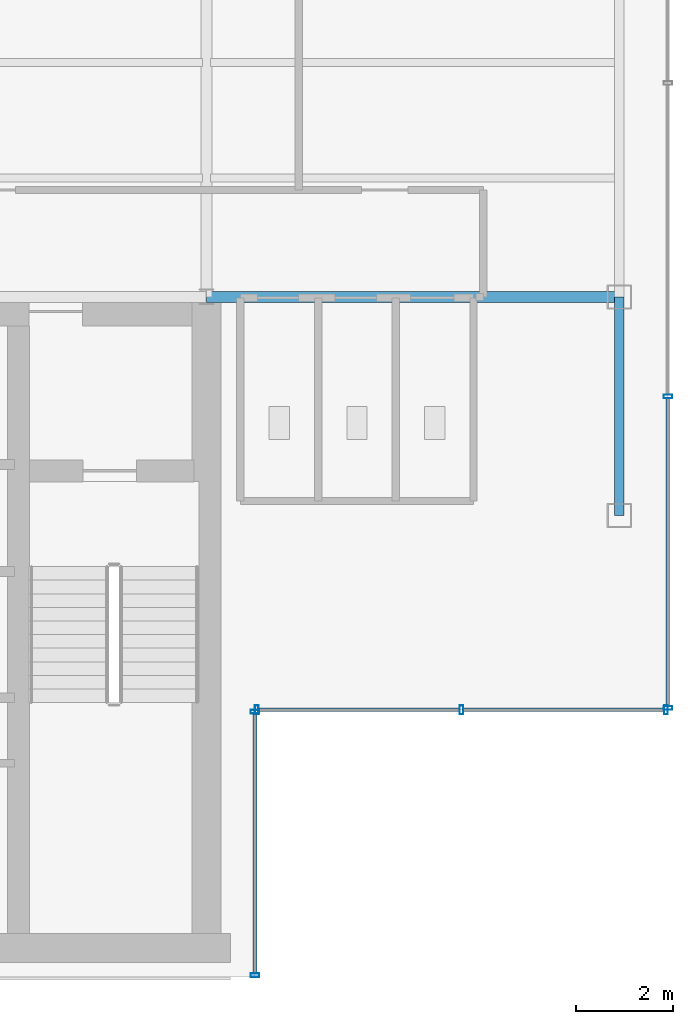
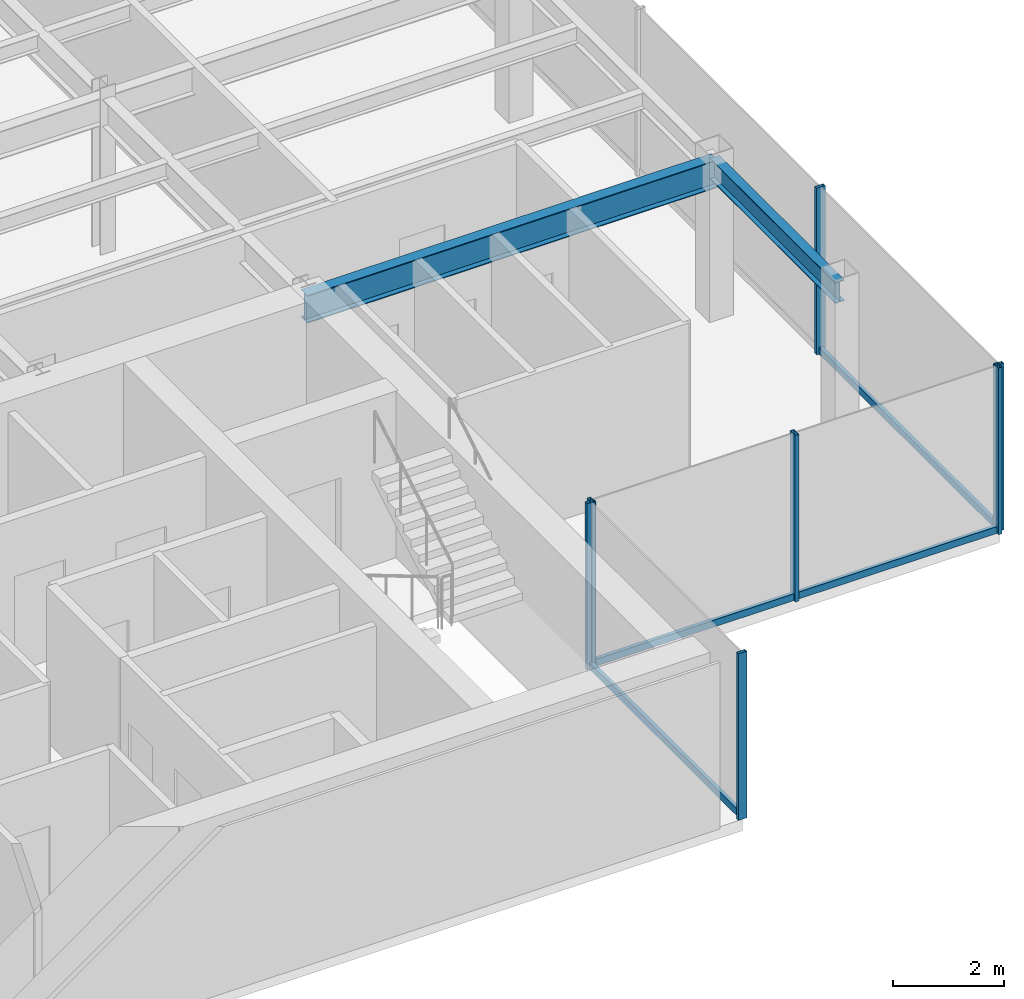
# One storey, part 9 of 22: 11 members, 2 beams, 3 elements without a shape of their own.
"""IFC4 building model written with IfcOpenShell, lengths in metres."""

from ifc_helpers import new_model, si_unit, derived_unit, direction, frame, origin, origin_2d, place, context, subcontext, project, spatial, hollow_rectangle, i_section, extrude, source, transform, mapped, material, material_profile, profile_set, type_object, element, aggregate, save


model = new_model("IFC4")

# Units and contexts
model_context = context("Model", 3, precision=1e-05, world=origin(), true_north=direction((0.0, 1.0)))
body_context = subcontext(model_context, "Body", "Model", "MODEL_VIEW")
ifc_project = project(units=[si_unit("LENGTHUNIT", "METRE"), si_unit("AREAUNIT", "SQUARE_METRE"), si_unit("VOLUMEUNIT", "CUBIC_METRE"), si_unit("PLANEANGLEUNIT", "RADIAN"), si_unit("MASSUNIT", "GRAM", prefix="KILO"), derived_unit("THERMALTRANSMITTANCEUNIT", [(si_unit("POWERUNIT", "WATT"), 1), (si_unit("LENGTHUNIT", "METRE"), -2), (si_unit("THERMODYNAMICTEMPERATUREUNIT", "KELVIN"), -1)])], contexts=[model_context])

# Site, building, storey
site_placement = place(None, origin())
site = spatial("IfcSite", under=ifc_project, at=site_placement, CompositionType="ELEMENT")
building_placement = place(site_placement, origin())
building = spatial("IfcBuilding", under=site, at=building_placement, Name="Skarnbrae Concourse Arena and Tower", CompositionType="ELEMENT")
storey_placement = place(building_placement, frame((0.0, 0.0, 214.14990234375)))
storey = spatial("IfcBuildingStorey", under=building, at=storey_placement, Name="L55", CompositionType="ELEMENT", Elevation=214.14990234375)

# Beams
ifc_material_1 = material(Name="Steel CSA G40.21 350W", Category="steel")
ifc_material_profile_1 = material_profile(ifc_material_1, i_section(OverallWidth=0.22802734375, OverallDepth=0.60791015625, WebThickness=0.01123046875, FlangeThickness=0.017333984375, at=origin_2d()), Name="W610X113")
ifc_profile_set_1 = profile_set([ifc_material_profile_1], Name="Steel CSA G40.21 350W")
beam_type_1 = type_object("IfcBeamType", Name="BM-GIRD-W610X113", PredefinedType="BEAM", material=ifc_profile_set_1)
shared_shape_1 = source(origin(), body_context, "Body", "SweptSolid", [
    extrude(i_section(OverallWidth=0.22802734375, OverallDepth=0.60791015625, WebThickness=0.01123046875, FlangeThickness=0.017333984375, at=origin_2d()), origin(), (0.0, 0.0, 1.0), 8.5),
])
beam_1_placement = place(storey_placement, frame((33.5, 14.0, 3.09619140625), z_axis=(1.0, 0.0, 0.0), x_axis=(0.0, 1.0, 0.0)))
element("IfcBeam", 1, at=beam_1_placement, inside=storey, type_object=beam_type_1, Name="L55 Primary E-W girder Y14.0-6", PredefinedType="BEAM", context=body_context, shape_type="MappedRepresentation", body=[
    mapped(shared_shape_1, transform((0.0, 0.0, 0.0))),
])
ifc_material_profile_2 = material_profile(ifc_material_1, i_section(OverallWidth=0.19091796875, OverallDepth=0.4599609375, WebThickness=0.010009765625, FlangeThickness=0.01611328125, at=origin_2d()), Name="W460X82")
ifc_profile_set_2 = profile_set([ifc_material_profile_2], Name="Steel CSA G40.21 350W")
beam_type_2 = type_object("IfcBeamType", Name="BM-SPAN-W460X82", PredefinedType="SPANDREL", material=ifc_profile_set_2)
shared_shape_2 = source(origin(), body_context, "Body", "SweptSolid", [
    extrude(i_section(OverallWidth=0.19091796875, OverallDepth=0.4599609375, WebThickness=0.010009765625, FlangeThickness=0.01611328125, at=origin_2d()), origin(), (0.0, 0.0, 1.0), 4.5),
])
beam_2_placement = place(storey_placement, frame((42.0, 9.5, 3.170166015625), z_axis=(0.0, 1.0, 0.0), x_axis=(-1.0, 0.0, 0.0)))
element("IfcBeam", 2, at=beam_2_placement, inside=storey, type_object=beam_type_2, Name="L55 Perimeter spandrel X42.0-1", PredefinedType="SPANDREL", context=body_context, shape_type="MappedRepresentation", body=[
    mapped(shared_shape_2, transform((0.0, 0.0, 0.0))),
])

# Curtain wall, member
ifc_material_2 = material(Name="Bronze anodised aluminium 6063-T6", Category="aluminium")
curtain_wall_type = type_object("IfcCurtainWallType", Name="CW-SYS-05-HIGHZONE", PredefinedType="USERDEFINED", material=ifc_material_2)
curtain_wall_1_placement = place(storey_placement, origin())
curtain_wall_1 = element("IfcCurtainWall", 3, at=curtain_wall_1_placement, inside=storey, type_object=curtain_wall_type, Name="L55 Unitised curtain wall CW-L55-E02", ObjectType="UNITISED CURTAIN WALL", PredefinedType="USERDEFINED")
ifc_material_profile_3 = material_profile(ifc_material_2, hollow_rectangle(XDim=0.074951171875, YDim=0.14990234375, WallThickness=0.00390625, at=origin_2d()), Name="ALU-TRAN-75X150")
ifc_profile_set_3 = profile_set([ifc_material_profile_3], Name="Bronze anodised aluminium 6063-T6")
member_type_1 = type_object("IfcMemberType", Name="CWT-CW-05", PredefinedType="USERDEFINED", material=ifc_profile_set_3)
shared_shape_3 = source(origin(), body_context, "Body", "SweptSolid", [
    extrude(hollow_rectangle(XDim=0.074951171875, YDim=0.14990234375, WallThickness=0.00390625, at=origin_2d()), origin(), (0.0, 0.0, 1.0), 5.35009765625),
])
member_1_placement = place(storey_placement, frame((34.5, 0.074951171875, 0.0751953125), z_axis=(0.0, 1.0, 0.0), x_axis=(-1.0, 0.0, 0.0)))
member_1 = element("IfcMember", 4, at=member_1_placement, type_object=member_type_1, Name="CW-L55-E02 Transom 1", ObjectType="TRANSOM", PredefinedType="USERDEFINED", context=body_context, shape_type="MappedRepresentation", body=[
    mapped(shared_shape_3, transform((0.0, 0.0, 0.0))),
])

# Curtain wall, members
curtain_wall_2_placement = place(storey_placement, origin())
curtain_wall_2 = element("IfcCurtainWall", 5, at=curtain_wall_2_placement, inside=storey, type_object=curtain_wall_type, Name="L55 Unitised curtain wall CW-L55-E03", ObjectType="UNITISED CURTAIN WALL", PredefinedType="USERDEFINED")
shared_shape_4 = source(origin(), body_context, "Body", "SweptSolid", [
    extrude(hollow_rectangle(XDim=0.074951171875, YDim=0.14990234375, WallThickness=0.00390625, at=origin_2d()), origin(), (0.0, 0.0, 1.0), 4.137451171875),
])
member_2_placement = place(storey_placement, frame((34.574951171875, 5.5, 0.0751953125), z_axis=(1.0, 0.0, 0.0), x_axis=(0.0, 1.0, 0.0)))
member_2 = element("IfcMember", 6, at=member_2_placement, type_object=member_type_1, Name="CW-L55-E03 Transom 1", ObjectType="TRANSOM", PredefinedType="USERDEFINED", context=body_context, shape_type="MappedRepresentation", body=[
    mapped(shared_shape_4, transform((0.0, 0.0, 0.0))),
])
member_3_placement = place(storey_placement, frame((38.78759765625, 5.5, 0.0751953125), z_axis=(1.0, 0.0, 0.0), x_axis=(0.0, 1.0, 0.0)))
member_3 = element("IfcMember", 7, at=member_3_placement, type_object=member_type_1, Name="CW-L55-E03 Transom 2", ObjectType="TRANSOM", PredefinedType="USERDEFINED", context=body_context, shape_type="MappedRepresentation", body=[
    mapped(shared_shape_4, transform((0.0, 0.0, 0.0))),
])

# Curtain wall, member
curtain_wall_3_placement = place(storey_placement, origin())
curtain_wall_3 = element("IfcCurtainWall", 8, at=curtain_wall_3_placement, inside=storey, type_object=curtain_wall_type, Name="L55 Unitised curtain wall CW-L55-E04", ObjectType="UNITISED CURTAIN WALL", PredefinedType="USERDEFINED")
shared_shape_5 = source(origin(), body_context, "Body", "SweptSolid", [
    extrude(hollow_rectangle(XDim=0.074951171875, YDim=0.14990234375, WallThickness=0.00390625, at=origin_2d()), origin(), (0.0, 0.0, 1.0), 6.337646484375),
])
member_4_placement = place(storey_placement, frame((43.0, 5.574951171875, 0.0751953125), z_axis=(0.0, 1.0, 0.0), x_axis=(-1.0, 0.0, 0.0)))
member_4 = element("IfcMember", 9, at=member_4_placement, type_object=member_type_1, Name="CW-L55-E04 Transom 1", ObjectType="TRANSOM", PredefinedType="USERDEFINED", context=body_context, shape_type="MappedRepresentation", body=[
    mapped(shared_shape_5, transform((0.0, 0.0, 0.0))),
])

# Member
ifc_material_profile_4 = material_profile(ifc_material_2, hollow_rectangle(XDim=0.074951171875, YDim=0.179931640625, WallThickness=0.00390625, at=origin_2d()), Name="ALU-MULL-75X180")
ifc_profile_set_4 = profile_set([ifc_material_profile_4], Name="Bronze anodised aluminium 6063-T6")
member_type_2 = type_object("IfcMemberType", Name="CWM-CW-05", PredefinedType="MULLION", material=ifc_profile_set_4)
shared_shape_6 = source(origin(), body_context, "Body", "SweptSolid", [
    extrude(hollow_rectangle(XDim=0.074951171875, YDim=0.179931640625, WallThickness=0.00390625, at=origin_2d()), origin(), (0.0, 0.0, 1.0), 3.650146484375),
])
member_5_placement = place(storey_placement, frame((34.5, 0.03759765625, 0.0), z_axis=(0.0, 0.0, 1.0), x_axis=(0.0, 1.0, 0.0)))
member_5 = element("IfcMember", 10, at=member_5_placement, type_object=member_type_2, Name="CW-L55-E02 Mullion 1", PredefinedType="MULLION", context=body_context, shape_type="MappedRepresentation", body=[
    mapped(shared_shape_6, transform((0.0, 0.0, 0.0))),
])

member_6_placement = place(storey_placement, frame((34.5, 5.46240234375, 0.0), z_axis=(0.0, 0.0, 1.0), x_axis=(0.0, 1.0, 0.0)))
member_6 = element("IfcMember", 11, at=member_6_placement, type_object=member_type_2, Name="CW-L55-E02 Mullion 2", PredefinedType="MULLION", context=body_context, shape_type="MappedRepresentation", body=[
    mapped(shared_shape_6, transform((0.0, 0.0, 0.0))),
])

aggregate(curtain_wall_1, [member_5, member_6, member_1])

member_7_placement = place(storey_placement, frame((34.53759765625, 5.5, 0.0), z_axis=(0.0, 0.0, 1.0), x_axis=(1.0, 0.0, 0.0)))
member_7 = element("IfcMember", 12, at=member_7_placement, type_object=member_type_2, Name="CW-L55-E03 Mullion 1", PredefinedType="MULLION", context=body_context, shape_type="MappedRepresentation", body=[
    mapped(shared_shape_6, transform((0.0, 0.0, 0.0))),
])

member_8_placement = place(storey_placement, frame((38.75, 5.5, 0.0), z_axis=(0.0, 0.0, 1.0), x_axis=(1.0, 0.0, 0.0)))
member_8 = element("IfcMember", 13, at=member_8_placement, type_object=member_type_2, Name="CW-L55-E03 Mullion 2", PredefinedType="MULLION", context=body_context, shape_type="MappedRepresentation", body=[
    mapped(shared_shape_6, transform((0.0, 0.0, 0.0))),
])

member_9_placement = place(storey_placement, frame((42.96240234375, 5.5, 0.0), z_axis=(0.0, 0.0, 1.0), x_axis=(1.0, 0.0, 0.0)))
member_9 = element("IfcMember", 14, at=member_9_placement, type_object=member_type_2, Name="CW-L55-E03 Mullion 3", PredefinedType="MULLION", context=body_context, shape_type="MappedRepresentation", body=[
    mapped(shared_shape_6, transform((0.0, 0.0, 0.0))),
])

aggregate(curtain_wall_2, [member_7, member_8, member_9, member_2, member_3])

member_10_placement = place(storey_placement, frame((43.0, 5.53759765625, 0.0), z_axis=(0.0, 0.0, 1.0), x_axis=(0.0, 1.0, 0.0)))
member_10 = element("IfcMember", 15, at=member_10_placement, type_object=member_type_2, Name="CW-L55-E04 Mullion 1", PredefinedType="MULLION", context=body_context, shape_type="MappedRepresentation", body=[
    mapped(shared_shape_6, transform((0.0, 0.0, 0.0))),
])

member_11_placement = place(storey_placement, frame((43.0, 11.949951171875, 0.0), z_axis=(0.0, 0.0, 1.0), x_axis=(0.0, 1.0, 0.0)))
member_11 = element("IfcMember", 16, at=member_11_placement, type_object=member_type_2, Name="CW-L55-E04 Mullion 2", PredefinedType="MULLION", context=body_context, shape_type="MappedRepresentation", body=[
    mapped(shared_shape_6, transform((0.0, 0.0, 0.0))),
])

aggregate(curtain_wall_3, [member_10, member_11, member_4])

save(model, "model.ifc")
